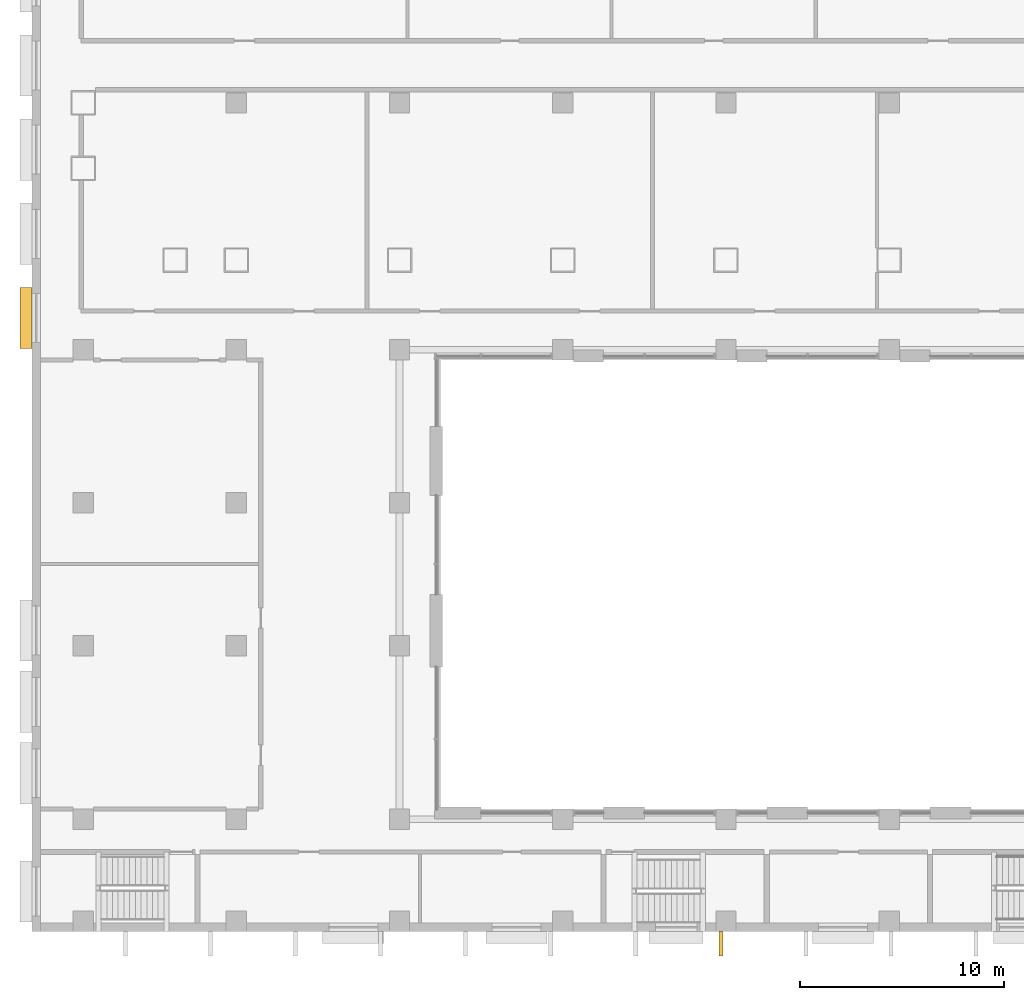
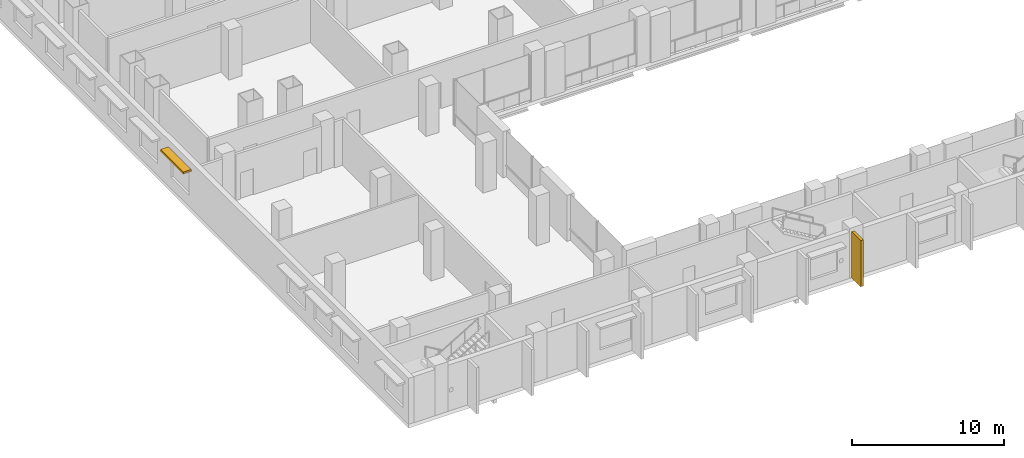
# One storey, part 19 of 25: 2 shading devices.
"""IFC4 building model written with IfcOpenShell, lengths in metres."""

from ifc_helpers import new_model, si_unit, direction, frame, frame_2d, origin, origin_2d, place, context, subcontext, project, spatial, rectangle, extrude, material, layer, layer_set, type_object, element, save


model = new_model("IFC4")

# Units and contexts
model_context = context("Model", 3, precision=1e-05, world=origin(), true_north=direction((0.0, 1.0)))
body_context = subcontext(model_context, "Body", "Model", "MODEL_VIEW")
ifc_project = project(units=[si_unit("LENGTHUNIT", "METRE"), si_unit("AREAUNIT", "SQUARE_METRE"), si_unit("VOLUMEUNIT", "CUBIC_METRE"), si_unit("PLANEANGLEUNIT", "RADIAN"), si_unit("MASSUNIT", "GRAM", prefix="KILO")], contexts=[model_context])

# Site, building, storey
site_placement = place(None, origin())
site = spatial("IfcSite", under=ifc_project, at=site_placement, CompositionType="ELEMENT")
building_placement = place(site_placement, origin())
building = spatial("IfcBuilding", under=site, at=building_placement, Name="Vidyagriha Tower", CompositionType="ELEMENT")
storey_placement = place(building_placement, frame((0.0, 0.0, 18.0)))
storey = spatial("IfcBuildingStorey", under=building, at=storey_placement, Name="L04", CompositionType="ELEMENT", Elevation=18.0)

# Shading devices
ifc_material_1 = material(Name="Precast concrete C40/50 with brick facing", Category="concrete")
ifc_layer_1 = layer(ifc_material_1, 0.14990234375)
ifc_layer_set_1 = layer_set([ifc_layer_1], Name="Precast concrete C40/50 with brick facing")
shading_device_type_1 = type_object("IfcShadingDeviceType", Name="Brick chhajja window hood", PredefinedType="AWNING", material=ifc_layer_set_1)
shading_device_1_placement = place(storey_placement, frame((-40.300048828125, -19.9375, 3.0), z_axis=(0.0, 0.0, 1.0), x_axis=(0.0, -1.0, 0.0)))
element("IfcShadingDevice", 1, at=shading_device_1_placement, inside=storey, type_object=shading_device_type_1, Name="Window hood L04 R05.10", PredefinedType="AWNING", context=body_context, shape_type="SweptSolid", body=[
    extrude(rectangle(XDim=3.0, YDim=0.60009765625, at=origin_2d()), origin(), (0.0, 0.0, 1.0), 0.14990234375),
])
ifc_material_2 = material(Name="Precast concrete C40/50 with brick facing", Category="concrete")
ifc_layer_2 = layer(ifc_material_2, 0.199951171875)
ifc_layer_set_2 = layer_set([ifc_layer_2], Name="Precast concrete C40/50 with brick facing")
shading_device_type_2 = type_object("IfcShadingDeviceType", Name="Brick-faced solar fin 1200", PredefinedType="USERDEFINED", material=ifc_layer_set_2)
shading_device_2_placement = place(storey_placement, frame((-6.252685546875, -50.0, 0.0), z_axis=(0.0, 0.0, 1.0), x_axis=(0.0, -1.0, 0.0)))
element("IfcShadingDevice", 2, at=shading_device_2_placement, inside=storey, type_object=shading_device_type_2, Name="Solar fin L04 R06.8", ObjectType="SOLAR FIN", PredefinedType="USERDEFINED", context=body_context, shape_type="SweptSolid", body=[
    extrude(rectangle(XDim=1.199951171875, YDim=0.199951171875, at=frame_2d((0.60009765625, 0.0))), origin(), (0.0, 0.0, 1.0), 3.699951171875),
])

save(model, "model.ifc")
